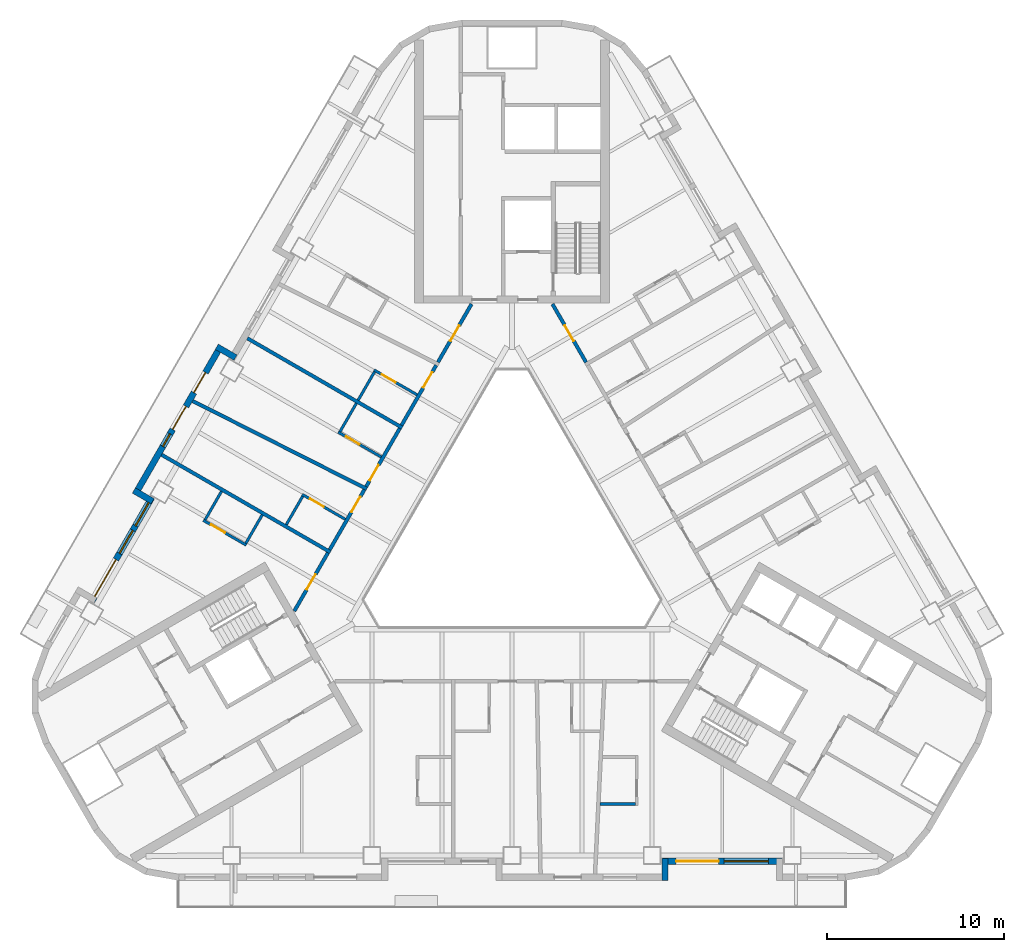
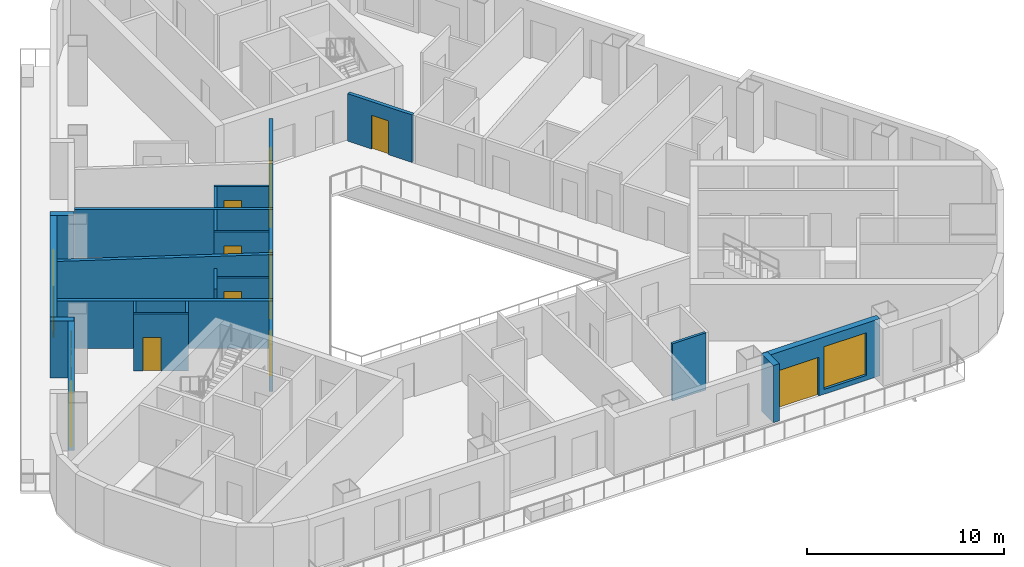
# One storey, part 4 of 14: 25 walls, 14 doors, 4 windows, 18 openings.
"""IFC4 building model written with IfcOpenShell, lengths in metres."""

from ifc_helpers import new_model, si_unit, direction, frame, frame_2d, origin, place, context, subcontext, project, spatial, rectangle, extrude, material, layer, layer_set, type_object, element, fill, save


model = new_model("IFC4")

# Units and contexts
model_context = context("Model", 3, precision=1e-05, world=origin(), true_north=direction((0.0, 1.0)))
body_context = subcontext(model_context, "Body", "Model", "MODEL_VIEW")
ifc_project = project(units=[si_unit("LENGTHUNIT", "METRE"), si_unit("AREAUNIT", "SQUARE_METRE"), si_unit("VOLUMEUNIT", "CUBIC_METRE"), si_unit("PLANEANGLEUNIT", "RADIAN"), si_unit("MASSUNIT", "GRAM", prefix="KILO")], contexts=[model_context])

# Site, building, storey
site_placement = place(None, origin())
site = spatial("IfcSite", under=ifc_project, at=site_placement, CompositionType="ELEMENT")
building_placement = place(site_placement, origin())
building = spatial("IfcBuilding", under=site, at=building_placement, Name="Apuvela Tower Hotel", CompositionType="ELEMENT")
storey_placement = place(building_placement, frame((0.0, 0.0, 50.199951171875)))
storey = spatial("IfcBuildingStorey", under=building, at=storey_placement, Name="L09", CompositionType="ELEMENT", Elevation=50.199951171875)

# Wall
ifc_material_1 = material(Name="Concrete C40/50, dark pigmented precast panel", Category="concrete")
ifc_layer_1 = layer(ifc_material_1, 0.35009765625)
ifc_layer_set_1 = layer_set([ifc_layer_1], Name="ENV-WALL-350")
wall_type_1 = type_object("IfcWallType", Name="ENV-WALL-350", PredefinedType="SOLIDWALL", material=ifc_layer_set_1)
wall_1_placement = place(storey_placement, frame((-15.580810546875, 9.8330078125, 0.0), z_axis=(0.0, 0.0, 1.0), x_axis=(-0.866055662726, 0.499947586314, 0.0)))
element("IfcWall", 1, at=wall_1_placement, inside=storey, type_object=wall_type_1, Name="External wall L09-04", PredefinedType="SOLIDWALL", context=body_context, shape_type="SweptSolid", body=[
    extrude(rectangle(XDim=1.220458984375, YDim=0.35009765625, at=frame_2d((0.6103515625, 0.0))), origin(), (0.0, 0.0, 1.0), 3.550048828125),
])

# Wall, openings, doors, window
wall_2_placement = place(storey_placement, frame((-16.3984375, 10.507080078125, 0.0), z_axis=(0.0, 0.0, 1.0), x_axis=(-0.499999142773, -0.866025898704, 0.0)))
wall_2 = element("IfcWall", 2, at=wall_2_placement, inside=storey, type_object=wall_type_1, Name="External wall L09-05", PredefinedType="SOLIDWALL", context=body_context, shape_type="SweptSolid", body=[
    extrude(rectangle(XDim=9.7001953125, YDim=0.35009765625, at=frame_2d((4.85009765625, 0.0))), origin(), (0.0, 0.0, 1.0), 3.550048828125),
])
opening_1_placement = place(wall_2_placement, frame((1.75048828125, 0.0, 0.0)))
opening_1 = element("IfcOpeningElement", 3, at=opening_1_placement, cuts=wall_2, Name="Opening BD13", PredefinedType="OPENING", context=body_context, shape_type="SweptSolid", body=[
    extrude(rectangle(XDim=1.300048828125, YDim=2.39990234375, at=frame_2d((0.64990234375, 1.199951171875))), frame((0.0, 0.18505859375, 0.0), z_axis=(0.0, -1.0, 0.0), x_axis=(1.0, 0.0, 0.0)), (0.0, 0.0, 1.0), 0.3701171875),
])
opening_2_placement = place(wall_2_placement, frame((3.9501953125, 0.0, 0.0)))
opening_2 = element("IfcOpeningElement", 4, at=opening_2_placement, cuts=wall_2, Name="Opening BD15", PredefinedType="OPENING", context=body_context, shape_type="SweptSolid", body=[
    extrude(rectangle(XDim=1.5, YDim=2.39990234375, at=frame_2d((0.75, 1.199951171875))), frame((0.0, 0.18505859375, 0.0), z_axis=(0.0, -1.0, 0.0), x_axis=(1.0, 0.0, 0.0)), (0.0, 0.0, 1.0), 0.3701171875),
])
opening_3_placement = place(wall_2_placement, frame((5.75, 0.0, 0.300048828125)))
opening_3 = element("IfcOpeningElement", 5, at=opening_3_placement, cuts=wall_2, Name="Opening WN08", PredefinedType="OPENING", context=body_context, shape_type="SweptSolid", body=[
    extrude(rectangle(XDim=0.800048828125, YDim=2.64990234375, at=frame_2d((0.39990234375, 1.324951171875))), frame((0.0, 0.18505859375, 0.0), z_axis=(0.0, -1.0, 0.0), x_axis=(1.0, 0.0, 0.0)), (0.0, 0.0, 1.0), 0.3701171875),
])
ifc_material_2 = material(Name="Aluminium 6063-T6, dark bronze anodised frame with dark tinted laminated glass", Category="aluminium")
door_type_1 = type_object("IfcDoorType", Name="ENV-DOOR-BALCONY-1300x2400", OperationType="SLIDING_TO_LEFT", PredefinedType="DOOR", material=ifc_material_2)
door_1_placement = place(opening_1_placement, frame((1.300048828125, 0.0, 0.0), z_axis=(0.0, 0.0, 1.0), x_axis=(-1.0, 0.0, 0.0)))
door_1 = element("IfcDoor", 6, at=door_1_placement, inside=storey, type_object=door_type_1, Name="Balcony door BD13", OperationType="SLIDING_TO_LEFT", OverallHeight=2.39990234375, OverallWidth=1.300048828125, PredefinedType="DOOR", context=body_context, shape_type="SweptSolid", body=[
    extrude(rectangle(XDim=1.300048828125, YDim=2.39990234375, at=frame_2d((0.64990234375, 1.199951171875))), frame((0.0, 0.02490234375, 0.0), z_axis=(0.0, -1.0, 0.0), x_axis=(1.0, 0.0, 0.0)), (0.0, 0.0, 1.0), 0.050048828125),
])
fill(opening_1, door_1)
door_type_2 = type_object("IfcDoorType", Name="ENV-DOOR-BALCONY-1500x2400", OperationType="SLIDING_TO_LEFT", PredefinedType="DOOR", material=ifc_material_2)
door_2_placement = place(opening_2_placement, frame((1.5, 0.0, 0.0), z_axis=(0.0, 0.0, 1.0), x_axis=(-1.0, 0.0, 0.0)))
door_2 = element("IfcDoor", 7, at=door_2_placement, inside=storey, type_object=door_type_2, Name="Balcony door BD15", OperationType="SLIDING_TO_LEFT", OverallHeight=2.39990234375, OverallWidth=1.5, PredefinedType="DOOR", context=body_context, shape_type="SweptSolid", body=[
    extrude(rectangle(XDim=1.5, YDim=2.39990234375, at=frame_2d((0.75, 1.199951171875))), frame((0.0, 0.02490234375, 0.0), z_axis=(0.0, -1.0, 0.0), x_axis=(1.0, 0.0, 0.0)), (0.0, 0.0, 1.0), 0.050048828125),
])
fill(opening_2, door_2)
ifc_material_3 = material(Name="Glass, dark tinted laminated insulated glazing unit", Category="glass")
window_type_1 = type_object("IfcWindowType", Name="ENV-WIN-800x2650", PartitioningType="SINGLE_PANEL", PredefinedType="WINDOW", material=ifc_material_3)
window_1_placement = place(opening_3_placement, origin())
window_1 = element("IfcWindow", 8, at=window_1_placement, inside=storey, type_object=window_type_1, Name="Window WN08", OverallHeight=2.64990234375, OverallWidth=0.800048828125, PartitioningType="SINGLE_PANEL", PredefinedType="WINDOW", context=body_context, shape_type="SweptSolid", body=[
    extrude(rectangle(XDim=0.800048828125, YDim=2.64990234375, at=frame_2d((0.39990234375, 1.324951171875))), frame((0.0, 0.030029296875, 0.0), z_axis=(0.0, -1.0, 0.0), x_axis=(1.0, 0.0, 0.0)), (0.0, 0.0, 1.0), 0.06005859375),
])
fill(opening_3, window_1)

# Wall
wall_3_placement = place(storey_placement, frame((-21.3125, 2.345703125, 0.0), z_axis=(0.0, 0.0, 1.0), x_axis=(0.866005645448, -0.500034220881, 0.0)))
element("IfcWall", 9, at=wall_3_placement, inside=storey, type_object=wall_type_1, Name="External wall L09-06", PredefinedType="SOLIDWALL", context=body_context, shape_type="SweptSolid", body=[
    extrude(rectangle(XDim=1.22021484375, YDim=0.35009765625, at=frame_2d((0.610107421875, 0.0))), origin(), (0.0, 0.0, 1.0), 3.550048828125),
])

# Wall, openings, door, windows
wall_4_placement = place(storey_placement, frame((-20.30908203125, 1.93359375, 0.0), z_axis=(0.0, 0.0, 1.0), x_axis=(-0.499992114976, -0.866029956157, 0.0)))
wall_4 = element("IfcWall", 10, at=wall_4_placement, inside=storey, type_object=wall_type_1, Name="External wall L09-07", PredefinedType="SOLIDWALL", context=body_context, shape_type="SweptSolid", body=[
    extrude(rectangle(XDim=6.73974609375, YDim=0.35009765625, at=frame_2d((3.369873046875, 0.0))), origin(), (0.0, 0.0, 1.0), 3.550048828125),
])
opening_4_placement = place(wall_4_placement, frame((4.02001953125, 0.0, 0.0)))
opening_4 = element("IfcOpeningElement", 11, at=opening_4_placement, cuts=wall_4, Name="Opening BD24", PredefinedType="OPENING", context=body_context, shape_type="SweptSolid", body=[
    extrude(rectangle(XDim=2.39990234375, YDim=2.39990234375, at=frame_2d((1.199951171875, 1.199951171875))), frame((0.0, 0.18505859375, 0.0), z_axis=(0.0, -1.0, 0.0), x_axis=(1.0, 0.0, 0.0)), (0.0, 0.0, 1.0), 0.3701171875),
])
opening_5_placement = place(wall_4_placement, frame((0.320068359375, 0.0, 0.300048828125)))
opening_5 = element("IfcOpeningElement", 12, at=opening_5_placement, cuts=wall_4, Name="Opening WN15", PredefinedType="OPENING", context=body_context, shape_type="SweptSolid", body=[
    extrude(rectangle(XDim=1.5, YDim=2.64990234375, at=frame_2d((0.75, 1.324951171875))), frame((0.0, 0.18505859375, 0.0), z_axis=(0.0, -1.0, 0.0), x_axis=(1.0, 0.0, 0.0)), (0.0, 0.0, 1.0), 0.3701171875),
])
opening_6_placement = place(wall_4_placement, frame((2.1201171875, 0.0, 0.300048828125)))
opening_6 = element("IfcOpeningElement", 13, at=opening_6_placement, cuts=wall_4, Name="Opening WN15", PredefinedType="OPENING", context=body_context, shape_type="SweptSolid", body=[
    extrude(rectangle(XDim=1.5, YDim=2.64990234375, at=frame_2d((0.75, 1.324951171875))), frame((0.0, 0.18505859375, 0.0), z_axis=(0.0, -1.0, 0.0), x_axis=(1.0, 0.0, 0.0)), (0.0, 0.0, 1.0), 0.3701171875),
])
door_type_3 = type_object("IfcDoorType", Name="ENV-DOOR-BALCONY-2400x2400", OperationType="SLIDING_TO_LEFT", PredefinedType="DOOR", material=ifc_material_2)
door_3_placement = place(opening_4_placement, frame((2.39990234375, 0.0, 0.0), z_axis=(0.0, 0.0, 1.0), x_axis=(-1.0, 0.0, 0.0)))
door_3 = element("IfcDoor", 14, at=door_3_placement, inside=storey, type_object=door_type_3, Name="Balcony door BD24", OperationType="SLIDING_TO_LEFT", OverallHeight=2.39990234375, OverallWidth=2.39990234375, PredefinedType="DOOR", context=body_context, shape_type="SweptSolid", body=[
    extrude(rectangle(XDim=2.39990234375, YDim=2.39990234375, at=frame_2d((1.199951171875, 1.199951171875))), frame((0.0, 0.02490234375, 0.0), z_axis=(0.0, -1.0, 0.0), x_axis=(1.0, 0.0, 0.0)), (0.0, 0.0, 1.0), 0.050048828125),
])
fill(opening_4, door_3)
window_type_2 = type_object("IfcWindowType", Name="ENV-WIN-1500x2650", PartitioningType="SINGLE_PANEL", PredefinedType="WINDOW", material=ifc_material_3)
window_2_placement = place(opening_5_placement, origin())
window_2 = element("IfcWindow", 15, at=window_2_placement, inside=storey, type_object=window_type_2, Name="Window WN15", OverallHeight=2.64990234375, OverallWidth=1.5, PartitioningType="SINGLE_PANEL", PredefinedType="WINDOW", context=body_context, shape_type="SweptSolid", body=[
    extrude(rectangle(XDim=1.5, YDim=2.64990234375, at=frame_2d((0.75, 1.324951171875))), frame((0.0, 0.030029296875, 0.0), z_axis=(0.0, -1.0, 0.0), x_axis=(1.0, 0.0, 0.0)), (0.0, 0.0, 1.0), 0.06005859375),
])
fill(opening_5, window_2)
window_3_placement = place(opening_6_placement, origin())
window_3 = element("IfcWindow", 16, at=window_3_placement, inside=storey, type_object=window_type_2, Name="Window WN15", OverallHeight=2.64990234375, OverallWidth=1.5, PartitioningType="SINGLE_PANEL", PredefinedType="WINDOW", context=body_context, shape_type="SweptSolid", body=[
    extrude(rectangle(XDim=1.5, YDim=2.64990234375, at=frame_2d((0.75, 1.324951171875))), frame((0.0, 0.030029296875, 0.0), z_axis=(0.0, -1.0, 0.0), x_axis=(1.0, 0.0, 0.0)), (0.0, 0.0, 1.0), 0.06005859375),
])
fill(opening_6, window_3)

# Wall
wall_5_placement = place(storey_placement, frame((8.625, -19.6298828125, 0.0), z_axis=(0.0, 0.0, 1.0), x_axis=(0.0, 1.0, 0.0)))
element("IfcWall", 17, at=wall_5_placement, inside=storey, type_object=wall_type_1, Name="External wall L09-22", PredefinedType="SOLIDWALL", context=body_context, shape_type="SweptSolid", body=[
    extrude(rectangle(XDim=1.219970703125, YDim=0.35009765625, at=frame_2d((0.60986328125, 0.0))), origin(), (0.0, 0.0, 1.0), 3.550048828125),
])

# Wall, openings, door, window
wall_6_placement = place(storey_placement, frame((8.47998046875, -18.554931640625, 0.0), z_axis=(0.0, 0.0, 1.0), x_axis=(1.0, 0.0, 0.0)))
wall_6 = element("IfcWall", 18, at=wall_6_placement, inside=storey, type_object=wall_type_1, Name="External wall L09-23", PredefinedType="SOLIDWALL", context=body_context, shape_type="SweptSolid", body=[
    extrude(rectangle(XDim=6.739990234375, YDim=0.35009765625, at=frame_2d((3.3701171875, 0.0))), origin(), (0.0, 0.0, 1.0), 3.550048828125),
])
opening_7_placement = place(wall_6_placement, frame((0.77001953125, 0.0, 0.0)))
opening_7 = element("IfcOpeningElement", 19, at=opening_7_placement, cuts=wall_6, Name="Opening BD24", PredefinedType="OPENING", context=body_context, shape_type="SweptSolid", body=[
    extrude(rectangle(XDim=2.39990234375, YDim=2.39990234375, at=frame_2d((1.199951171875, 1.199951171875))), frame((0.0, 0.18505859375, 0.0), z_axis=(0.0, -1.0, 0.0), x_axis=(1.0, 0.0, 0.0)), (0.0, 0.0, 1.0), 0.3701171875),
])
opening_8_placement = place(wall_6_placement, frame((3.469970703125, 0.0, 0.300048828125)))
opening_8 = element("IfcOpeningElement", 20, at=opening_8_placement, cuts=wall_6, Name="Opening WN25", PredefinedType="OPENING", context=body_context, shape_type="SweptSolid", body=[
    extrude(rectangle(XDim=2.5, YDim=2.64990234375, at=frame_2d((1.25, 1.324951171875))), frame((0.0, 0.18505859375, 0.0), z_axis=(0.0, -1.0, 0.0), x_axis=(1.0, 0.0, 0.0)), (0.0, 0.0, 1.0), 0.3701171875),
])
door_4_placement = place(opening_7_placement, frame((2.39990234375, 0.0, 0.0), z_axis=(0.0, 0.0, 1.0), x_axis=(-1.0, 0.0, 0.0)))
door_4 = element("IfcDoor", 21, at=door_4_placement, inside=storey, type_object=door_type_3, Name="Balcony door BD24", OperationType="SLIDING_TO_LEFT", OverallHeight=2.39990234375, OverallWidth=2.39990234375, PredefinedType="DOOR", context=body_context, shape_type="SweptSolid", body=[
    extrude(rectangle(XDim=2.39990234375, YDim=2.39990234375, at=frame_2d((1.199951171875, 1.199951171875))), frame((0.0, 0.02490234375, 0.0), z_axis=(0.0, -1.0, 0.0), x_axis=(1.0, 0.0, 0.0)), (0.0, 0.0, 1.0), 0.050048828125),
])
fill(opening_7, door_4)
window_type_3 = type_object("IfcWindowType", Name="ENV-WIN-2500x2650", PartitioningType="SINGLE_PANEL", PredefinedType="WINDOW", material=ifc_material_3)
window_4_placement = place(opening_8_placement, origin())
window_4 = element("IfcWindow", 22, at=window_4_placement, inside=storey, type_object=window_type_3, Name="Window WN25", OverallHeight=2.64990234375, OverallWidth=2.5, PartitioningType="SINGLE_PANEL", PredefinedType="WINDOW", context=body_context, shape_type="SweptSolid", body=[
    extrude(rectangle(XDim=2.5, YDim=2.64990234375, at=frame_2d((1.25, 1.324951171875))), frame((0.0, 0.030029296875, 0.0), z_axis=(0.0, -1.0, 0.0), x_axis=(1.0, 0.0, 0.0)), (0.0, 0.0, 1.0), 0.06005859375),
])
fill(opening_8, window_4)

# Walls
ifc_material_4 = material(Name="Gypsum board partition on twin steel stud", Category="steel")
ifc_layer_2 = layer(ifc_material_4, 0.199951171875)
ifc_layer_set_2 = layer_set([ifc_layer_2], Name="GST-PW1")
wall_type_2 = type_object("IfcWallType", Name="GST-PW1", PredefinedType="PARTITIONING", material=ifc_layer_set_2)
wall_7_placement = place(storey_placement, frame((-14.91748046875, 10.922119140625, 0.0), z_axis=(0.0, 0.0, 1.0), x_axis=(0.866022637375, -0.500004791531, 0.0)))
element("IfcWall", 23, at=wall_7_placement, inside=storey, type_object=wall_type_2, Name="L09 partition 09", PredefinedType="PARTITIONING", context=body_context, shape_type="SweptSolid", body=[
    extrude(rectangle(XDim=10.080078125, YDim=0.199951171875, at=frame_2d((5.0400390625, 0.0))), origin(), (0.0, 0.0, 1.0), 2.9599609375),
])
wall_8_placement = place(storey_placement, frame((-17.9970703125, 7.38818359375, 0.0), z_axis=(0.0, 0.0, 1.0), x_axis=(0.892478457214, -0.451090016968, 0.0)))
element("IfcWall", 24, at=wall_8_placement, inside=storey, type_object=wall_type_2, Name="L09 partition 10", PredefinedType="PARTITIONING", context=body_context, shape_type="SweptSolid", body=[
    extrude(rectangle(XDim=10.9970703125, YDim=0.199951171875, at=frame_2d((5.49853515625, 0.0))), origin(), (0.0, 0.0, 1.0), 2.9599609375),
])
wall_9_placement = place(storey_placement, frame((-19.7470703125, 4.357177734375, 0.0), z_axis=(0.0, 0.0, 1.0), x_axis=(0.866027479907, -0.499996404033, 0.0)))
element("IfcWall", 25, at=wall_9_placement, inside=storey, type_object=wall_type_2, Name="L09 partition 11", PredefinedType="PARTITIONING", context=body_context, shape_type="SweptSolid", body=[
    extrude(rectangle(XDim=10.97998046875, YDim=0.199951171875, at=frame_2d((5.489990234375, 0.0))), origin(), (0.0, 0.0, 1.0), 2.9599609375),
])

# Wall, opening, door
ifc_material_5 = material(Name="Gypsum board corridor wall on twin steel stud, acoustic", Category="steel")
ifc_layer_3 = layer(ifc_material_5, 0.199951171875)
ifc_layer_set_3 = layer_set([ifc_layer_3], Name="GST-PW2")
wall_type_3 = type_object("IfcWallType", Name="GST-PW2", PredefinedType="PARTITIONING", material=ifc_layer_set_3)
wall_10_placement = place(storey_placement, frame((2.280517578125, 12.85009765625, 0.0), z_axis=(0.0, 0.0, 1.0), x_axis=(0.499979074716, -0.866037484666, 0.0)))
wall_10 = element("IfcWall", 26, at=wall_10_placement, inside=storey, type_object=wall_type_3, Name="L09 partition 39", PredefinedType="PARTITIONING", context=body_context, shape_type="SweptSolid", body=[
    extrude(rectangle(XDim=3.788330078125, YDim=0.199951171875, at=frame_2d((1.89404296875, 0.0))), origin(), (0.0, 0.0, 1.0), 2.949951171875),
])
opening_9_placement = place(wall_10_placement, frame((1.39404296875, 0.0, 0.0)))
opening_9 = element("IfcOpeningElement", 27, at=opening_9_placement, cuts=wall_10, Name="Opening GD01-18", PredefinedType="OPENING", context=body_context, shape_type="SweptSolid", body=[
    extrude(rectangle(XDim=1.0, YDim=2.10009765625, at=frame_2d((0.5, 1.050048828125))), frame((0.0, 0.10986328125, 0.0), z_axis=(0.0, -1.0, 0.0), x_axis=(1.0, 0.0, 0.0)), (0.0, 0.0, 1.0), 0.219970703125),
])
ifc_material_6 = material(Name="Timber door leaf in steel frame", Category="steel")
door_type_4 = type_object("IfcDoorType", Name="GST-D1", OperationType="NOTDEFINED", PredefinedType="DOOR", material=ifc_material_6)
door_5_placement = place(opening_9_placement, origin())
door_5 = element("IfcDoor", 28, at=door_5_placement, inside=storey, type_object=door_type_4, Name="Door L09-18", OperationType="SINGLE_SWING_RIGHT", OverallHeight=2.10009765625, OverallWidth=1.0, PredefinedType="DOOR", context=body_context, shape_type="SweptSolid", body=[
    extrude(rectangle(XDim=1.0, YDim=2.10009765625, at=frame_2d((0.5, 1.050048828125))), frame((0.0, 0.02490234375, 0.0), z_axis=(0.0, -1.0, 0.0), x_axis=(1.0, 0.0, 0.0)), (0.0, 0.0, 1.0), 0.050048828125),
])
fill(opening_9, door_5)

wall_11_placement = place(storey_placement, frame((-4.171630859375, 9.574462890625, 0.0), z_axis=(0.0, 0.0, 1.0), x_axis=(0.499985062256, 0.866034027923, 0.0)))
wall_11 = element("IfcWall", 29, at=wall_11_placement, inside=storey, type_object=wall_type_3, Name="L09 partition 43", PredefinedType="PARTITIONING", context=body_context, shape_type="SweptSolid", body=[
    extrude(rectangle(XDim=3.7822265625, YDim=0.199951171875, at=frame_2d((1.89111328125, 0.0))), origin(), (0.0, 0.0, 1.0), 2.949951171875),
])
opening_10_placement = place(wall_11_placement, frame((1.39111328125, 0.0, 0.0)))
opening_10 = element("IfcOpeningElement", 30, at=opening_10_placement, cuts=wall_11, Name="Opening GD01-20", PredefinedType="OPENING", context=body_context, shape_type="SweptSolid", body=[
    extrude(rectangle(XDim=1.0, YDim=2.10009765625, at=frame_2d((0.5, 1.050048828125))), frame((0.0, 0.10986328125, 0.0), z_axis=(0.0, -1.0, 0.0), x_axis=(1.0, 0.0, 0.0)), (0.0, 0.0, 1.0), 0.219970703125),
])
door_6_placement = place(opening_10_placement, origin())
door_6 = element("IfcDoor", 31, at=door_6_placement, inside=storey, type_object=door_type_4, Name="Door L09-20", OperationType="SINGLE_SWING_LEFT", OverallHeight=2.10009765625, OverallWidth=1.0, PredefinedType="DOOR", context=body_context, shape_type="SweptSolid", body=[
    extrude(rectangle(XDim=1.0, YDim=2.10009765625, at=frame_2d((0.5, 1.050048828125))), frame((0.0, 0.02490234375, 0.0), z_axis=(0.0, -1.0, 0.0), x_axis=(1.0, 0.0, 0.0)), (0.0, 0.0, 1.0), 0.050048828125),
])
fill(opening_10, door_6)

wall_12_placement = place(storey_placement, frame((-6.224609375, 6.018798828125, 0.0), z_axis=(0.0, 0.0, 1.0), x_axis=(0.499998439657, 0.866026304647, 0.0)))
wall_12 = element("IfcWall", 32, at=wall_12_placement, inside=storey, type_object=wall_type_3, Name="L09 partition 47", PredefinedType="PARTITIONING", context=body_context, shape_type="SweptSolid", body=[
    extrude(rectangle(XDim=3.9052734375, YDim=0.199951171875, at=frame_2d((1.95263671875, 0.0))), origin(), (0.0, 0.0, 1.0), 2.949951171875),
])
opening_11_placement = place(wall_12_placement, frame((2.449951171875, 0.0, 0.0)))
opening_11 = element("IfcOpeningElement", 33, at=opening_11_placement, cuts=wall_12, Name="Opening GD01-22", PredefinedType="OPENING", context=body_context, shape_type="SweptSolid", body=[
    extrude(rectangle(XDim=1.0, YDim=2.10009765625, at=frame_2d((0.5, 1.050048828125))), frame((0.0, 0.10986328125, 0.0), z_axis=(0.0, -1.0, 0.0), x_axis=(1.0, 0.0, 0.0)), (0.0, 0.0, 1.0), 0.219970703125),
])
door_7_placement = place(opening_11_placement, origin())
door_7 = element("IfcDoor", 34, at=door_7_placement, inside=storey, type_object=door_type_4, Name="Door L09-22", OperationType="SINGLE_SWING_RIGHT", OverallHeight=2.10009765625, OverallWidth=1.0, PredefinedType="DOOR", context=body_context, shape_type="SweptSolid", body=[
    extrude(rectangle(XDim=1.0, YDim=2.10009765625, at=frame_2d((0.5, 1.050048828125))), frame((0.0, 0.02490234375, 0.0), z_axis=(0.0, -1.0, 0.0), x_axis=(1.0, 0.0, 0.0)), (0.0, 0.0, 1.0), 0.050048828125),
])
fill(opening_11, door_7)

wall_13_placement = place(storey_placement, frame((-8.2216796875, 2.5595703125, 0.0), z_axis=(0.0, 0.0, 1.0), x_axis=(0.499973105789, 0.866040930607, 0.0)))
wall_13 = element("IfcWall", 35, at=wall_13_placement, inside=storey, type_object=wall_type_3, Name="L09 partition 50", PredefinedType="PARTITIONING", context=body_context, shape_type="SweptSolid", body=[
    extrude(rectangle(XDim=3.794189453125, YDim=0.199951171875, at=frame_2d((1.89697265625, 0.0))), origin(), (0.0, 0.0, 1.0), 2.949951171875),
])
opening_12_placement = place(wall_13_placement, frame((0.39990234375, 0.0, 0.0)))
opening_12 = element("IfcOpeningElement", 36, at=opening_12_placement, cuts=wall_13, Name="Opening GD01-24", PredefinedType="OPENING", context=body_context, shape_type="SweptSolid", body=[
    extrude(rectangle(XDim=1.0, YDim=2.10009765625, at=frame_2d((0.5, 1.050048828125))), frame((0.0, 0.10986328125, 0.0), z_axis=(0.0, -1.0, 0.0), x_axis=(1.0, 0.0, 0.0)), (0.0, 0.0, 1.0), 0.219970703125),
])
door_8_placement = place(opening_12_placement, origin())
door_8 = element("IfcDoor", 37, at=door_8_placement, inside=storey, type_object=door_type_4, Name="Door L09-24", OperationType="SINGLE_SWING_LEFT", OverallHeight=2.10009765625, OverallWidth=1.0, PredefinedType="DOOR", context=body_context, shape_type="SweptSolid", body=[
    extrude(rectangle(XDim=1.0, YDim=2.10009765625, at=frame_2d((0.5, 1.050048828125))), frame((0.0, 0.02490234375, 0.0), z_axis=(0.0, -1.0, 0.0), x_axis=(1.0, 0.0, 0.0)), (0.0, 0.0, 1.0), 0.050048828125),
])
fill(opening_12, door_8)

wall_14_placement = place(storey_placement, frame((-10.274658203125, -0.99609375, 0.0), z_axis=(0.0, 0.0, 1.0), x_axis=(0.499998439657, 0.866026304647, 0.0)))
wall_14 = element("IfcWall", 38, at=wall_14_placement, inside=storey, type_object=wall_type_3, Name="L09 partition 53", PredefinedType="PARTITIONING", context=body_context, shape_type="SweptSolid", body=[
    extrude(rectangle(XDim=3.9052734375, YDim=0.199951171875, at=frame_2d((1.95263671875, 0.0))), origin(), (0.0, 0.0, 1.0), 2.949951171875),
])
opening_13_placement = place(wall_14_placement, frame((2.449951171875, 0.0, 0.0)))
opening_13 = element("IfcOpeningElement", 39, at=opening_13_placement, cuts=wall_14, Name="Opening GD01-26", PredefinedType="OPENING", context=body_context, shape_type="SweptSolid", body=[
    extrude(rectangle(XDim=1.0, YDim=2.10009765625, at=frame_2d((0.5, 1.050048828125))), frame((0.0, 0.10986328125, 0.0), z_axis=(0.0, -1.0, 0.0), x_axis=(1.0, 0.0, 0.0)), (0.0, 0.0, 1.0), 0.219970703125),
])
door_9_placement = place(opening_13_placement, origin())
door_9 = element("IfcDoor", 40, at=door_9_placement, inside=storey, type_object=door_type_4, Name="Door L09-26", OperationType="SINGLE_SWING_RIGHT", OverallHeight=2.10009765625, OverallWidth=1.0, PredefinedType="DOOR", context=body_context, shape_type="SweptSolid", body=[
    extrude(rectangle(XDim=1.0, YDim=2.10009765625, at=frame_2d((0.5, 1.050048828125))), frame((0.0, 0.02490234375, 0.0), z_axis=(0.0, -1.0, 0.0), x_axis=(1.0, 0.0, 0.0)), (0.0, 0.0, 1.0), 0.050048828125),
])
fill(opening_13, door_9)

wall_15_placement = place(storey_placement, frame((-12.268798828125, -4.449951171875, 0.0), z_axis=(0.0, 0.0, 1.0), x_axis=(0.500055316652, 0.865993464345, 0.0)))
wall_15 = element("IfcWall", 41, at=wall_15_placement, inside=storey, type_object=wall_type_3, Name="L09 partition 56", PredefinedType="PARTITIONING", context=body_context, shape_type="SweptSolid", body=[
    extrude(rectangle(XDim=3.7880859375, YDim=0.199951171875, at=frame_2d((1.89404296875, 0.0))), origin(), (0.0, 0.0, 1.0), 2.949951171875),
])
opening_14_placement = place(wall_15_placement, frame((1.39404296875, 0.0, 0.0)))
opening_14 = element("IfcOpeningElement", 42, at=opening_14_placement, cuts=wall_15, Name="Opening GD01-28", PredefinedType="OPENING", context=body_context, shape_type="SweptSolid", body=[
    extrude(rectangle(XDim=1.0, YDim=2.10009765625, at=frame_2d((0.5, 1.050048828125))), frame((0.0, 0.10986328125, 0.0), z_axis=(0.0, -1.0, 0.0), x_axis=(1.0, 0.0, 0.0)), (0.0, 0.0, 1.0), 0.219970703125),
])
door_10_placement = place(opening_14_placement, origin())
door_10 = element("IfcDoor", 43, at=door_10_placement, inside=storey, type_object=door_type_4, Name="Door L09-28", OperationType="SINGLE_SWING_RIGHT", OverallHeight=2.10009765625, OverallWidth=1.0, PredefinedType="DOOR", context=body_context, shape_type="SweptSolid", body=[
    extrude(rectangle(XDim=1.0, YDim=2.10009765625, at=frame_2d((0.5, 1.050048828125))), frame((0.0, 0.02490234375, 0.0), z_axis=(0.0, -1.0, 0.0), x_axis=(1.0, 0.0, 0.0)), (0.0, 0.0, 1.0), 0.050048828125),
])
fill(opening_14, door_10)

# Wall
ifc_material_7 = material(Name="Moisture-resistant gypsum board wet wall on steel stud", Category="steel")
ifc_layer_4 = layer(ifc_material_7, 0.14990234375)
ifc_layer_set_4 = layer_set([ifc_layer_4], Name="GST-PW3")
wall_type_4 = type_object("IfcWallType", Name="GST-PW3", PredefinedType="PARTITIONING", material=ifc_layer_set_4)
wall_16_placement = place(storey_placement, frame((4.970947265625, -15.324951171875, 0.0), z_axis=(0.0, 0.0, 1.0), x_axis=(1.0, 0.0, 0.0)))
element("IfcWall", 44, at=wall_16_placement, inside=storey, type_object=wall_type_4, Name="L09 partition 24", PredefinedType="PARTITIONING", context=body_context, shape_type="SweptSolid", body=[
    extrude(rectangle(XDim=1.9814453125, YDim=0.14990234375, at=frame_2d((0.99072265625, 0.0))), origin(), (0.0, 0.0, 1.0), 3.550048828125),
])

# Wall, opening, door
wall_17_placement = place(storey_placement, frame((-5.3486328125, 7.73583984375, 0.0), z_axis=(0.0, 0.0, 1.0), x_axis=(-0.866056369097, 0.49994636267, 0.0)))
wall_17 = element("IfcWall", 45, at=wall_17_placement, inside=storey, type_object=wall_type_4, Name="L09 partition 48", PredefinedType="PARTITIONING", context=body_context, shape_type="SweptSolid", body=[
    extrude(rectangle(XDim=2.800048828125, YDim=0.14990234375, at=frame_2d((1.39990234375, 0.0))), origin(), (0.0, 0.0, 1.0), 2.949951171875),
])
opening_15_placement = place(wall_17_placement, frame((1.39990234375, 0.0, 0.0)))
opening_15 = element("IfcOpeningElement", 46, at=opening_15_placement, cuts=wall_17, Name="Opening GD01-21", PredefinedType="OPENING", context=body_context, shape_type="SweptSolid", body=[
    extrude(rectangle(XDim=0.89990234375, YDim=2.10009765625, at=frame_2d((0.449951171875, 1.050048828125))), frame((0.0, 0.0849609375, 0.0), z_axis=(0.0, -1.0, 0.0), x_axis=(1.0, 0.0, 0.0)), (0.0, 0.0, 1.0), 0.169921875),
])
door_type_5 = type_object("IfcDoorType", Name="GST-D2", OperationType="NOTDEFINED", PredefinedType="DOOR", material=ifc_material_6)
door_11_placement = place(opening_15_placement, origin())
door_11 = element("IfcDoor", 47, at=door_11_placement, inside=storey, type_object=door_type_5, Name="Door L09-21", OperationType="SINGLE_SWING_RIGHT", OverallHeight=2.10009765625, OverallWidth=0.89990234375, PredefinedType="DOOR", context=body_context, shape_type="SweptSolid", body=[
    extrude(rectangle(XDim=0.89990234375, YDim=2.10009765625, at=frame_2d((0.449951171875, 1.050048828125))), frame((0.0, 0.02490234375, 0.0), z_axis=(0.0, -1.0, 0.0), x_axis=(1.0, 0.0, 0.0)), (0.0, 0.0, 1.0), 0.050048828125),
])
fill(opening_15, door_11)

# Wall
wall_18_placement = place(storey_placement, frame((-7.74609375, 9.033203125, 0.0), z_axis=(0.0, 0.0, 1.0), x_axis=(-0.500042316284, -0.866000971088, 0.0)))
element("IfcWall", 48, at=wall_18_placement, inside=storey, type_object=wall_type_4, Name="L09 partition 49", PredefinedType="PARTITIONING", context=body_context, shape_type="SweptSolid", body=[
    extrude(rectangle(XDim=1.849853515625, YDim=0.14990234375, at=frame_2d((0.9248046875, 0.0))), origin(), (0.0, 0.0, 1.0), 2.949951171875),
])

# Wall, opening, door
wall_19_placement = place(storey_placement, frame((-9.795654296875, 5.63330078125, 0.0), z_axis=(0.0, 0.0, 1.0), x_axis=(0.866034573852, -0.49998411664, 0.0)))
wall_19 = element("IfcWall", 49, at=wall_19_placement, inside=storey, type_object=wall_type_4, Name="L09 partition 51", PredefinedType="PARTITIONING", context=body_context, shape_type="SweptSolid", body=[
    extrude(rectangle(XDim=2.7998046875, YDim=0.14990234375, at=frame_2d((1.39990234375, 0.0))), origin(), (0.0, 0.0, 1.0), 2.949951171875),
])
opening_16_placement = place(wall_19_placement, frame((0.5, 0.0, 0.0)))
opening_16 = element("IfcOpeningElement", 50, at=opening_16_placement, cuts=wall_19, Name="Opening GD01-23", PredefinedType="OPENING", context=body_context, shape_type="SweptSolid", body=[
    extrude(rectangle(XDim=0.89990234375, YDim=2.10009765625, at=frame_2d((0.449951171875, 1.050048828125))), frame((0.0, 0.0849609375, 0.0), z_axis=(0.0, -1.0, 0.0), x_axis=(1.0, 0.0, 0.0)), (0.0, 0.0, 1.0), 0.169921875),
])
door_12_placement = place(opening_16_placement, origin())
door_12 = element("IfcDoor", 51, at=door_12_placement, inside=storey, type_object=door_type_5, Name="Door L09-23", OperationType="SINGLE_SWING_LEFT", OverallHeight=2.10009765625, OverallWidth=0.89990234375, PredefinedType="DOOR", context=body_context, shape_type="SweptSolid", body=[
    extrude(rectangle(XDim=0.89990234375, YDim=2.10009765625, at=frame_2d((0.449951171875, 1.050048828125))), frame((0.0, 0.02490234375, 0.0), z_axis=(0.0, -1.0, 0.0), x_axis=(1.0, 0.0, 0.0)), (0.0, 0.0, 1.0), 0.050048828125),
])
fill(opening_16, door_12)

# Wall
wall_20_placement = place(storey_placement, frame((-8.77099609375, 7.2578125, 0.0), z_axis=(0.0, 0.0, 1.0), x_axis=(-0.500154078321, -0.865936428347, 0.0)))
element("IfcWall", 52, at=wall_20_placement, inside=storey, type_object=wall_type_4, Name="L09 partition 52", PredefinedType="PARTITIONING", context=body_context, shape_type="SweptSolid", body=[
    extrude(rectangle(XDim=1.84423828125, YDim=0.14990234375, at=frame_2d((0.922119140625, 0.0))), origin(), (0.0, 0.0, 1.0), 2.949951171875),
])

# Wall, opening, door
wall_21_placement = place(storey_placement, frame((-9.398681640625, 0.720947265625, 0.0), z_axis=(0.0, 0.0, 1.0), x_axis=(-0.866034573852, 0.49998411664, 0.0)))
wall_21 = element("IfcWall", 53, at=wall_21_placement, inside=storey, type_object=wall_type_4, Name="L09 partition 54", PredefinedType="PARTITIONING", context=body_context, shape_type="SweptSolid", body=[
    extrude(rectangle(XDim=2.7998046875, YDim=0.14990234375, at=frame_2d((1.39990234375, 0.0))), origin(), (0.0, 0.0, 1.0), 2.949951171875),
])
opening_17_placement = place(wall_21_placement, frame((1.39990234375, 0.0, 0.0)))
opening_17 = element("IfcOpeningElement", 54, at=opening_17_placement, cuts=wall_21, Name="Opening GD01-25", PredefinedType="OPENING", context=body_context, shape_type="SweptSolid", body=[
    extrude(rectangle(XDim=0.89990234375, YDim=2.10009765625, at=frame_2d((0.449951171875, 1.050048828125))), frame((0.0, 0.0849609375, 0.0), z_axis=(0.0, -1.0, 0.0), x_axis=(1.0, 0.0, 0.0)), (0.0, 0.0, 1.0), 0.169921875),
])
door_13_placement = place(opening_17_placement, origin())
door_13 = element("IfcDoor", 55, at=door_13_placement, inside=storey, type_object=door_type_5, Name="Door L09-25", OperationType="SINGLE_SWING_RIGHT", OverallHeight=2.10009765625, OverallWidth=0.89990234375, PredefinedType="DOOR", context=body_context, shape_type="SweptSolid", body=[
    extrude(rectangle(XDim=0.89990234375, YDim=2.10009765625, at=frame_2d((0.449951171875, 1.050048828125))), frame((0.0, 0.02490234375, 0.0), z_axis=(0.0, -1.0, 0.0), x_axis=(1.0, 0.0, 0.0)), (0.0, 0.0, 1.0), 0.050048828125),
])
fill(opening_17, door_13)

# Wall
wall_22_placement = place(storey_placement, frame((-11.796142578125, 2.0185546875, 0.0), z_axis=(0.0, 0.0, 1.0), x_axis=(-0.499985172903, -0.866033964044, 0.0)))
element("IfcWall", 56, at=wall_22_placement, inside=storey, type_object=wall_type_4, Name="L09 partition 55", PredefinedType="PARTITIONING", context=body_context, shape_type="SweptSolid", body=[
    extrude(rectangle(XDim=1.85009765625, YDim=0.14990234375, at=frame_2d((0.925048828125, 0.0))), origin(), (0.0, 0.0, 1.0), 3.550048828125),
])

# Wall, opening, door
wall_23_placement = place(storey_placement, frame((-17.3994140625, 0.66357421875, 0.0), z_axis=(0.0, 0.0, 1.0), x_axis=(0.866018616679, -0.500011755427, 0.0)))
wall_23 = element("IfcWall", 57, at=wall_23_placement, inside=storey, type_object=wall_type_4, Name="L09 partition 57", PredefinedType="PARTITIONING", context=body_context, shape_type="SweptSolid", body=[
    extrude(rectangle(XDim=2.80029296875, YDim=0.14990234375, at=frame_2d((1.400146484375, 0.0))), origin(), (0.0, 0.0, 1.0), 3.550048828125),
])
opening_18_placement = place(wall_23_placement, frame((0.5, 0.0, 0.0)))
opening_18 = element("IfcOpeningElement", 58, at=opening_18_placement, cuts=wall_23, Name="Opening GD01-27", PredefinedType="OPENING", context=body_context, shape_type="SweptSolid", body=[
    extrude(rectangle(XDim=0.89990234375, YDim=2.10009765625, at=frame_2d((0.449951171875, 1.050048828125))), frame((0.0, 0.0849609375, 0.0), z_axis=(0.0, -1.0, 0.0), x_axis=(1.0, 0.0, 0.0)), (0.0, 0.0, 1.0), 0.169921875),
])
door_14_placement = place(opening_18_placement, origin())
door_14 = element("IfcDoor", 59, at=door_14_placement, inside=storey, type_object=door_type_5, Name="Door L09-27", OperationType="SINGLE_SWING_LEFT", OverallHeight=2.10009765625, OverallWidth=0.89990234375, PredefinedType="DOOR", context=body_context, shape_type="SweptSolid", body=[
    extrude(rectangle(XDim=0.89990234375, YDim=2.10009765625, at=frame_2d((0.449951171875, 1.050048828125))), frame((0.0, 0.02490234375, 0.0), z_axis=(0.0, -1.0, 0.0), x_axis=(1.0, 0.0, 0.0)), (0.0, 0.0, 1.0), 0.050048828125),
])
fill(opening_18, door_14)

# Walls
wall_24_placement = place(storey_placement, frame((-16.371826171875, 2.293212890625, 0.0), z_axis=(0.0, 0.0, 1.0), x_axis=(-0.499985172903, -0.866033964044, 0.0)))
element("IfcWall", 60, at=wall_24_placement, inside=storey, type_object=wall_type_4, Name="L09 partition 58", PredefinedType="PARTITIONING", context=body_context, shape_type="SweptSolid", body=[
    extrude(rectangle(XDim=1.85009765625, YDim=0.14990234375, at=frame_2d((0.925048828125, 0.0))), origin(), (0.0, 0.0, 1.0), 2.949951171875),
])
wall_25_placement = place(storey_placement, frame((-14.076904296875, 0.968017578125, 0.0), z_axis=(0.0, 0.0, 1.0), x_axis=(-0.500042316284, -0.866000971088, 0.0)))
element("IfcWall", 61, at=wall_25_placement, inside=storey, type_object=wall_type_4, Name="L09 partition 59", PredefinedType="PARTITIONING", context=body_context, shape_type="SweptSolid", body=[
    extrude(rectangle(XDim=1.849853515625, YDim=0.14990234375, at=frame_2d((0.9248046875, 0.0))), origin(), (0.0, 0.0, 1.0), 2.949951171875),
])

save(model, "model.ifc")
